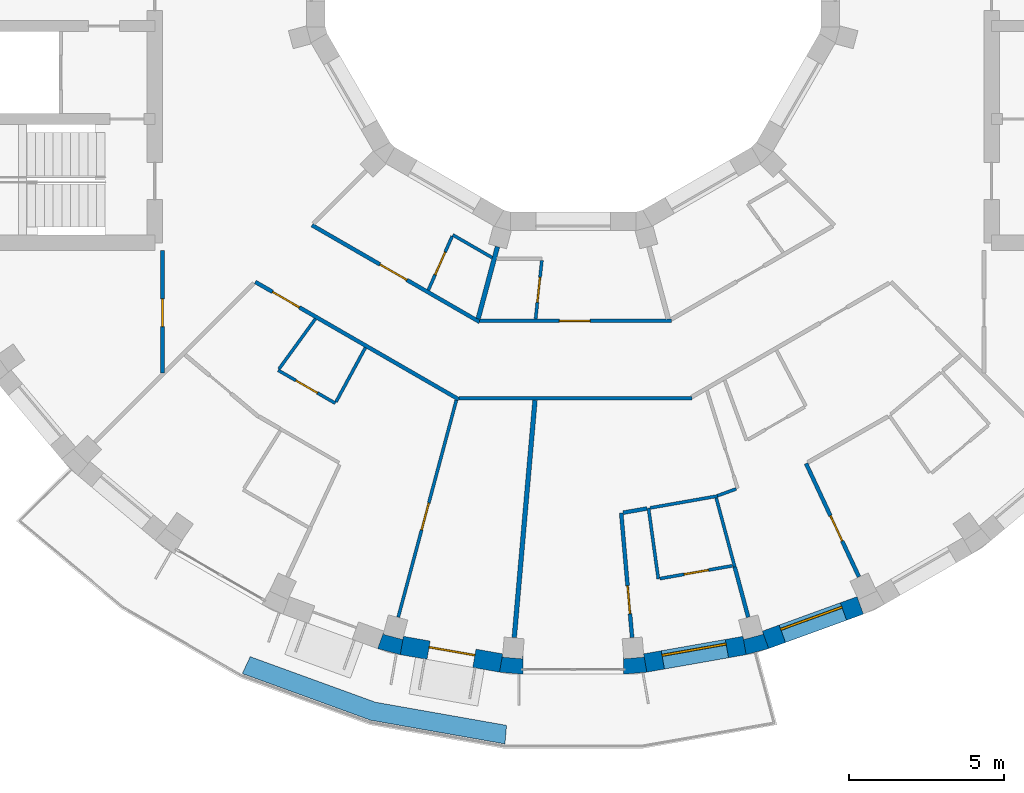
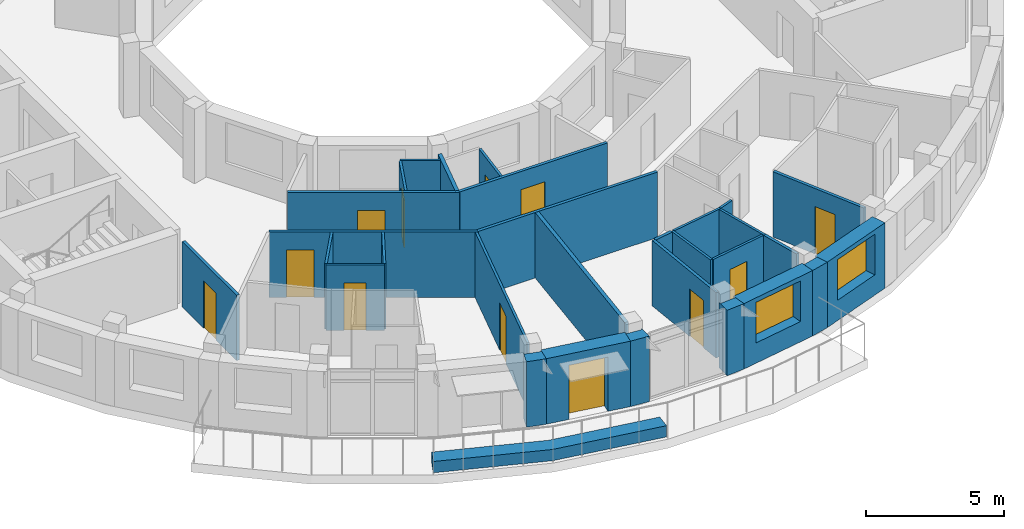
# One storey, part 4 of 12: 31 walls, 12 doors, 2 windows, 14 openings.
"""IFC4 building model written with IfcOpenShell, lengths in metres."""

from ifc_helpers import new_model, si_unit, direction, frame, frame_2d, origin, place, context, subcontext, project, spatial, polyline, rectangle, outline, extrude, material, layer, layer_set, type_object, element, fill, save


model = new_model("IFC4")

# Units and contexts
model_context = context("Model", 3, precision=1e-05, world=origin(), true_north=direction((0.0, 1.0)))
body_context = subcontext(model_context, "Body", "Model", "MODEL_VIEW")
ifc_project = project(units=[si_unit("LENGTHUNIT", "METRE"), si_unit("AREAUNIT", "SQUARE_METRE"), si_unit("VOLUMEUNIT", "CUBIC_METRE"), si_unit("PLANEANGLEUNIT", "RADIAN"), si_unit("MASSUNIT", "GRAM", prefix="KILO")], contexts=[model_context])

# Site, building, storey
site_placement = place(None, origin())
site = spatial("IfcSite", under=ifc_project, at=site_placement, CompositionType="ELEMENT")
building_placement = place(site_placement, origin())
building = spatial("IfcBuilding", under=site, at=building_placement, Name="Saqina Gate Tower", CompositionType="ELEMENT")
storey_placement = place(building_placement, frame((0.0, 0.0, 272.60009765625)))
storey = spatial("IfcBuildingStorey", under=building, at=storey_placement, Name="L78", CompositionType="ELEMENT", Elevation=272.60009765625)

# Walls
ifc_material_1 = material(Name="Brick masonry (buff)", Category="masonry")
wall_type_1 = type_object("IfcWallType", Name="BRICK PIER COPING BUFF", PredefinedType="SOLIDWALL", material=ifc_material_1)
wall_1_placement = place(storey_placement, origin())
element("IfcWall", 1, at=wall_1_placement, inside=storey, type_object=wall_type_1, Name="Pier cap L78 column 26", PredefinedType="SOLIDWALL", context=body_context, shape_type="SweptSolid", body=[
    extrude(outline(polyline([(-5.579833984375, -22.281982421875), (-5.4755859375, -21.691162109375), (-5.5029296875, -21.793212890625), (-6.130859375, -21.625), (-6.103515625, -21.52294921875), (-6.30859375, -22.0869140625), (-5.579833984375, -22.281982421875)])), origin(), (0.0, 0.0, 1.0), 2.89990234375),
])
wall_2_placement = place(storey_placement, origin())
element("IfcWall", 2, at=wall_2_placement, inside=storey, type_object=wall_type_1, Name="Pier cap L78 column 27", PredefinedType="SOLIDWALL", context=body_context, shape_type="SweptSolid", body=[
    extrude(outline(polyline([(-2.377685546875, -22.8466796875), (-1.625732421875, -22.91259765625), (-1.625732421875, -22.3125), (-1.635009765625, -22.417724609375), (-2.28271484375, -22.361083984375), (-2.2734375, -22.255859375), (-2.377685546875, -22.8466796875)])), origin(), (0.0, 0.0, 1.0), 2.89990234375),
])
wall_3_placement = place(storey_placement, origin())
element("IfcWall", 3, at=wall_3_placement, inside=storey, type_object=wall_type_1, Name="Pier cap L78 column 28", PredefinedType="SOLIDWALL", context=body_context, shape_type="SweptSolid", body=[
    extrude(outline(polyline([(1.625732421875, -22.91259765625), (2.377685546875, -22.8466796875), (2.2734375, -22.255859375), (2.28271484375, -22.361083984375), (1.635009765625, -22.417724609375), (1.625732421875, -22.3125), (1.625732421875, -22.91259765625)])), origin(), (0.0, 0.0, 1.0), 2.89990234375),
])
wall_4_placement = place(storey_placement, origin())
element("IfcWall", 4, at=wall_4_placement, inside=storey, type_object=wall_type_1, Name="Pier cap L78 column 29", PredefinedType="SOLIDWALL", context=body_context, shape_type="SweptSolid", body=[
    extrude(outline(polyline([(6.30859375, -22.0869140625), (6.103515625, -21.52294921875), (6.130859375, -21.625), (5.5029296875, -21.793212890625), (5.4755859375, -21.691162109375), (5.579833984375, -22.281982421875), (6.30859375, -22.0869140625)])), origin(), (0.0, 0.0, 1.0), 2.89990234375),
])

# Wall, opening, door
ifc_material_2 = material(Name="Brick masonry (buff)", Category="masonry")
ifc_layer_1 = layer(ifc_material_2, 0.60009765625)
ifc_layer_set_1 = layer_set([ifc_layer_1], Name="FW-BRICK-BUFF")
wall_type_2 = type_object("IfcWallType", Name="FW-BRICK-BUFF", PredefinedType="SOLIDWALL", material=ifc_layer_set_1)
wall_5_placement = place(storey_placement, frame((-5.52783203125, -21.986572265625, 0.0), z_axis=(0.0, 0.0, 1.0), x_axis=(0.984806225186, -0.173656842178, 0.0)))
wall_5 = element("IfcWall", 5, at=wall_5_placement, inside=storey, type_object=wall_type_2, Name="Facade wall L78 facet 26", PredefinedType="SOLIDWALL", context=body_context, shape_type="SweptSolid", body=[
    extrude(rectangle(XDim=3.251708984375, YDim=0.60009765625, at=frame_2d((1.6259765625, 0.0))), origin(), (0.0, 0.0, 1.0), 2.89990234375),
])
opening_1_placement = place(wall_5_placement, frame((0.875732421875, 0.0, 0.0)))
opening_1 = element("IfcOpeningElement", 6, at=opening_1_placement, cuts=wall_5, Name="Opening G23-D81", PredefinedType="OPENING", context=body_context, shape_type="SweptSolid", body=[
    extrude(rectangle(XDim=1.5, YDim=2.39990234375, at=frame_2d((0.75, 1.199951171875))), frame((0.0, 0.31201171875, 0.0), z_axis=(0.0, -1.0, 0.0), x_axis=(1.0, 0.0, 0.0)), (0.0, 0.0, 1.0), 0.6240234375),
])
ifc_material_3 = material(Name="Aluminium glazing", Category="aluminium")
door_type_1 = type_object("IfcDoorType", Name="GD-D", OperationType="DOUBLE_DOOR_SINGLE_SWING", PredefinedType="DOOR", material=ifc_material_3)
door_1_placement = place(opening_1_placement, frame((1.5, 0.0, 0.0), z_axis=(0.0, 0.0, 1.0), x_axis=(-1.0, 0.0, 0.0)))
door_1 = element("IfcDoor", 7, at=door_1_placement, inside=storey, type_object=door_type_1, Name="Terrace door L78 facet 26", OperationType="DOUBLE_DOOR_SINGLE_SWING", OverallHeight=2.39990234375, OverallWidth=1.5, PredefinedType="DOOR", context=body_context, shape_type="SweptSolid", body=[
    extrude(rectangle(XDim=1.5, YDim=2.39990234375, at=frame_2d((0.75, 1.199951171875))), frame((0.0, -0.0751953125, 0.0), z_axis=(0.0, -1.0, 0.0), x_axis=(1.0, 0.0, 0.0)), (0.0, 0.0, 1.0), 0.050048828125),
])
fill(opening_1, door_1)

# Wall, opening, window
wall_6_placement = place(storey_placement, frame((2.325439453125, -22.55126953125, 0.0), z_axis=(0.0, 0.0, 1.0), x_axis=(0.984806225186, 0.173656842178, 0.0)))
wall_6 = element("IfcWall", 8, at=wall_6_placement, inside=storey, type_object=wall_type_2, Name="Facade wall L78 facet 28", PredefinedType="SOLIDWALL", context=body_context, shape_type="SweptSolid", body=[
    extrude(rectangle(XDim=3.251708984375, YDim=0.60009765625, at=frame_2d((1.6259765625, 0.0))), origin(), (0.0, 0.0, 1.0), 2.89990234375),
])
opening_2_placement = place(wall_6_placement, frame((0.57568359375, 0.0, 0.89990234375)))
opening_2 = element("IfcOpeningElement", 9, at=opening_2_placement, cuts=wall_6, Name="Opening G23-W17", PredefinedType="OPENING", context=body_context, shape_type="SweptSolid", body=[
    extrude(rectangle(XDim=2.10009765625, YDim=1.800048828125, at=frame_2d((1.050048828125, 0.89990234375))), frame((0.0, 0.31201171875, 0.0), z_axis=(0.0, -1.0, 0.0), x_axis=(1.0, 0.0, 0.0)), (0.0, 0.0, 1.0), 0.6240234375),
])
ifc_material_4 = material(Name="Aluminium glazing", Category="aluminium")
window_type = type_object("IfcWindowType", Name="WN-D", PartitioningType="SINGLE_PANEL", PredefinedType="WINDOW", material=ifc_material_4)
window_1_placement = place(opening_2_placement, origin())
window_1 = element("IfcWindow", 10, at=window_1_placement, inside=storey, type_object=window_type, Name="Window L78 facet 28", OverallHeight=1.800048828125, OverallWidth=2.10009765625, PartitioningType="SINGLE_PANEL", PredefinedType="WINDOW", context=body_context, shape_type="SweptSolid", body=[
    extrude(rectangle(XDim=2.10009765625, YDim=1.800048828125, at=frame_2d((1.050048828125, 0.89990234375))), frame((0.0, 0.179931640625, 0.0), z_axis=(0.0, -1.0, 0.0), x_axis=(1.0, 0.0, 0.0)), (0.0, 0.0, 1.0), 0.06005859375),
])
fill(opening_2, window_1)

wall_7_placement = place(storey_placement, frame((6.2060546875, -21.804931640625, 0.0), z_axis=(0.0, 0.0, 1.0), x_axis=(0.939679383794, 0.342056509473, 0.0)))
wall_7 = element("IfcWall", 11, at=wall_7_placement, inside=storey, type_object=wall_type_2, Name="Facade wall L78 facet 29", PredefinedType="SOLIDWALL", context=body_context, shape_type="SweptSolid", body=[
    extrude(rectangle(XDim=3.251708984375, YDim=0.60009765625, at=frame_2d((1.6259765625, 0.0))), origin(), (0.0, 0.0, 1.0), 2.89990234375),
])
opening_3_placement = place(wall_7_placement, frame((0.57568359375, 0.0, 0.89990234375)))
opening_3 = element("IfcOpeningElement", 12, at=opening_3_placement, cuts=wall_7, Name="Opening G23-W18", PredefinedType="OPENING", context=body_context, shape_type="SweptSolid", body=[
    extrude(rectangle(XDim=2.10009765625, YDim=1.800048828125, at=frame_2d((1.050048828125, 0.89990234375))), frame((0.0, 0.31201171875, 0.0), z_axis=(0.0, -1.0, 0.0), x_axis=(1.0, 0.0, 0.0)), (0.0, 0.0, 1.0), 0.6240234375),
])
window_2_placement = place(opening_3_placement, origin())
window_2 = element("IfcWindow", 13, at=window_2_placement, inside=storey, type_object=window_type, Name="Window L78 facet 29", OverallHeight=1.800048828125, OverallWidth=2.10009765625, PartitioningType="SINGLE_PANEL", PredefinedType="WINDOW", context=body_context, shape_type="SweptSolid", body=[
    extrude(rectangle(XDim=2.10009765625, YDim=1.800048828125, at=frame_2d((1.050048828125, 0.89990234375))), frame((0.0, 0.179931640625, 0.0), z_axis=(0.0, -1.0, 0.0), x_axis=(1.0, 0.0, 0.0)), (0.0, 0.0, 1.0), 0.06005859375),
])
fill(opening_3, window_2)

# Walls
ifc_material_5 = material(Name="Gypsum board on steel studs, 100 mm", Category="steel")
ifc_layer_2 = layer(ifc_material_5, 0.10009765625)
ifc_layer_set_2 = layer_set([ifc_layer_2], Name="PARTITION 100")
wall_type_3 = type_object("IfcWallType", Name="PARTITION 100", PredefinedType="PARTITIONING", material=ifc_layer_set_2)
wall_8_placement = place(storey_placement, frame((2.430908203125, -17.556884765625, 0.0), z_axis=(0.0, 0.0, 1.0), x_axis=(0.137351585164, -0.990522358179, 0.0)))
element("IfcWall", 14, at=wall_8_placement, inside=storey, type_object=wall_type_3, Name="PARTITION PW3-03", PredefinedType="PARTITIONING", context=body_context, shape_type="SweptSolid", body=[
    extrude(rectangle(XDim=2.3017578125, YDim=0.10009765625, at=frame_2d((1.15087890625, 0.0))), origin(), (0.0, 0.0, 1.0), 2.89990234375),
])
wall_9_placement = place(storey_placement, frame((4.614501953125, -17.222412109375, 0.0), z_axis=(0.0, 0.0, 1.0), x_axis=(0.259222412409, -0.965817654066, 0.0)))
element("IfcWall", 15, at=wall_9_placement, inside=storey, type_object=wall_type_3, Name="PARTITION PW3-06", PredefinedType="PARTITIONING", context=body_context, shape_type="SweptSolid", body=[
    extrude(rectangle(XDim=2.308349609375, YDim=0.10009765625, at=frame_2d((1.154296875, 0.0))), origin(), (0.0, 0.0, 1.0), 2.89990234375),
])

# Wall, opening, door
wall_10_placement = place(storey_placement, frame((-9.52099609375, -13.10498046875, 0.0), z_axis=(0.0, 0.0, 1.0), x_axis=(0.865878308353, -0.500254690257, 0.0)))
wall_10 = element("IfcWall", 16, at=wall_10_placement, inside=storey, type_object=wall_type_3, Name="PARTITION PW3-20", PredefinedType="PARTITIONING", context=body_context, shape_type="SweptSolid", body=[
    extrude(rectangle(XDim=2.130859375, YDim=0.10009765625, at=frame_2d((1.0654296875, 0.0))), origin(), (0.0, 0.0, 1.0), 2.89990234375),
])
opening_4_placement = place(wall_10_placement, frame((0.665283203125, 0.0, 0.0)))
opening_4 = element("IfcOpeningElement", 17, at=opening_4_placement, cuts=wall_10, Name="Opening G23-D24", PredefinedType="OPENING", context=body_context, shape_type="SweptSolid", body=[
    extrude(rectangle(XDim=0.800048828125, YDim=2.10009765625, at=frame_2d((0.39990234375, 1.050048828125))), frame((0.0, 0.06201171875, 0.0), z_axis=(0.0, -1.0, 0.0), x_axis=(1.0, 0.0, 0.0)), (0.0, 0.0, 1.0), 0.1240234375),
])
ifc_material_6 = material(Name="Timber door leaf, 800 mm", Category="wood")
door_type_2 = type_object("IfcDoorType", Name="DOOR 800 TIMBER", OperationType="SINGLE_SWING_LEFT", PredefinedType="DOOR", material=ifc_material_6)
door_2_placement = place(opening_4_placement, frame((0.800048828125, 0.0, 0.0), z_axis=(0.0, 0.0, 1.0), x_axis=(-1.0, 0.0, 0.0)))
door_2 = element("IfcDoor", 18, at=door_2_placement, inside=storey, type_object=door_type_2, Name="DOOR G23-D24", OperationType="SINGLE_SWING_RIGHT", OverallHeight=2.10009765625, OverallWidth=0.800048828125, PredefinedType="DOOR", context=body_context, shape_type="SweptSolid", body=[
    extrude(rectangle(XDim=0.800048828125, YDim=2.10009765625, at=frame_2d((0.39990234375, 1.050048828125))), frame((0.0, 0.02490234375, 0.0), z_axis=(0.0, -1.0, 0.0), x_axis=(1.0, 0.0, 0.0)), (0.0, 0.0, 1.0), 0.050048828125),
])
fill(opening_4, door_2)

# Wall
wall_11_placement = place(storey_placement, frame((-3.884033203125, -8.739013671875, 0.0), z_axis=(0.0, 0.0, 1.0), x_axis=(0.866146805758, -0.499789666634, 0.0)))
element("IfcWall", 19, at=wall_11_placement, inside=storey, type_object=wall_type_3, Name="PARTITION PW3-21", PredefinedType="PARTITIONING", context=body_context, shape_type="SweptSolid", body=[
    extrude(rectangle(XDim=1.467529296875, YDim=0.10009765625, at=frame_2d((0.73388671875, 0.0))), origin(), (0.0, 0.0, 1.0), 2.89990234375),
])

# Wall, opening, door
wall_12_placement = place(storey_placement, frame((2.796142578125, -19.828369140625, 0.0), z_axis=(0.0, 0.0, 1.0), x_axis=(0.984754600233, 0.173949352742, 0.0)))
wall_12 = element("IfcWall", 20, at=wall_12_placement, inside=storey, type_object=wall_type_3, Name="PARTITION PW3-29", PredefinedType="PARTITIONING", context=body_context, shape_type="SweptSolid", body=[
    extrude(rectangle(XDim=2.37744140625, YDim=0.10009765625, at=frame_2d((1.188720703125, 0.0))), origin(), (0.0, 0.0, 1.0), 2.89990234375),
])
opening_5_placement = place(wall_12_placement, frame((0.794921875, 0.0, 0.0)))
opening_5 = element("IfcOpeningElement", 21, at=opening_5_placement, cuts=wall_12, Name="Opening G23-D32", PredefinedType="OPENING", context=body_context, shape_type="SweptSolid", body=[
    extrude(rectangle(XDim=0.800048828125, YDim=2.10009765625, at=frame_2d((0.39990234375, 1.050048828125))), frame((0.0, 0.06201171875, 0.0), z_axis=(0.0, -1.0, 0.0), x_axis=(1.0, 0.0, 0.0)), (0.0, 0.0, 1.0), 0.1240234375),
])
door_3_placement = place(opening_5_placement, frame((0.800048828125, 0.0, 0.0), z_axis=(0.0, 0.0, 1.0), x_axis=(-1.0, 0.0, 0.0)))
door_3 = element("IfcDoor", 22, at=door_3_placement, inside=storey, type_object=door_type_2, Name="DOOR G23-D32", OperationType="SINGLE_SWING_LEFT", OverallHeight=2.10009765625, OverallWidth=0.800048828125, PredefinedType="DOOR", context=body_context, shape_type="SweptSolid", body=[
    extrude(rectangle(XDim=0.800048828125, YDim=2.10009765625, at=frame_2d((0.39990234375, 1.050048828125))), frame((0.0, 0.02490234375, 0.0), z_axis=(0.0, -1.0, 0.0), x_axis=(1.0, 0.0, 0.0)), (0.0, 0.0, 1.0), 0.050048828125),
])
fill(opening_5, door_3)

# Walls
wall_13_placement = place(storey_placement, frame((2.480224609375, -17.54833984375, 0.0), z_axis=(0.0, 0.0, 1.0), x_axis=(0.984791356236, 0.173741142745, 0.0)))
element("IfcWall", 23, at=wall_13_placement, inside=storey, type_object=wall_type_3, Name="PARTITION PW3-30", PredefinedType="PARTITIONING", context=body_context, shape_type="SweptSolid", body=[
    extrude(rectangle(XDim=2.2060546875, YDim=0.10009765625, at=frame_2d((1.10302734375, 0.0))), origin(), (0.0, 0.0, 1.0), 2.89990234375),
])
wall_14_placement = place(storey_placement, frame((4.64990234375, -17.15625, 0.0), z_axis=(0.0, 0.0, 1.0), x_axis=(0.939771391362, 0.341803645353, 0.0)))
element("IfcWall", 24, at=wall_14_placement, inside=storey, type_object=wall_type_3, Name="PARTITION PW3-33", PredefinedType="PARTITIONING", context=body_context, shape_type="SweptSolid", body=[
    extrude(rectangle(XDim=0.647216796875, YDim=0.10009765625, at=frame_2d((0.32373046875, 0.0))), origin(), (0.0, 0.0, 1.0), 2.89990234375),
])
wall_15_placement = place(storey_placement, frame((-9.49169921875, -13.064453125, 0.0), z_axis=(0.0, 0.0, 1.0), x_axis=(0.587873893167, 0.80895258559, 0.0)))
element("IfcWall", 25, at=wall_15_placement, inside=storey, type_object=wall_type_3, Name="PARTITION PW3-42", PredefinedType="PARTITIONING", context=body_context, shape_type="SweptSolid", body=[
    extrude(rectangle(XDim=1.998779296875, YDim=0.10009765625, at=frame_2d((0.99951171875, 0.0))), origin(), (0.0, 0.0, 1.0), 2.89990234375),
])
wall_16_placement = place(storey_placement, frame((-7.652099609375, -14.126953125, 0.0), z_axis=(0.0, 0.0, 1.0), x_axis=(0.476243596433, 0.879313389444, 0.0)))
element("IfcWall", 26, at=wall_16_placement, inside=storey, type_object=wall_type_3, Name="PARTITION PW3-45", PredefinedType="PARTITIONING", context=body_context, shape_type="SweptSolid", body=[
    extrude(rectangle(XDim=1.988525390625, YDim=0.10009765625, at=frame_2d((0.994140625, 0.0))), origin(), (0.0, 0.0, 1.0), 2.89990234375),
])

# Wall, opening, door
wall_17_placement = place(storey_placement, frame((-4.674560546875, -10.519775390625, 0.0), z_axis=(0.0, 0.0, 1.0), x_axis=(0.40574466239, 0.913986470875, 0.0)))
wall_17 = element("IfcWall", 27, at=wall_17_placement, inside=storey, type_object=wall_type_3, Name="PARTITION PW3-47", PredefinedType="PARTITIONING", context=body_context, shape_type="SweptSolid", body=[
    extrude(rectangle(XDim=1.8984375, YDim=0.10009765625, at=frame_2d((0.94921875, 0.0))), origin(), (0.0, 0.0, 1.0), 2.89990234375),
])
opening_6_placement = place(wall_17_placement, frame((0.54296875, 0.0, 0.0)))
opening_6 = element("IfcOpeningElement", 28, at=opening_6_placement, cuts=wall_17, Name="Opening G23-D27", PredefinedType="OPENING", context=body_context, shape_type="SweptSolid", body=[
    extrude(rectangle(XDim=0.800048828125, YDim=2.10009765625, at=frame_2d((0.39990234375, 1.050048828125))), frame((0.0, 0.06201171875, 0.0), z_axis=(0.0, -1.0, 0.0), x_axis=(1.0, 0.0, 0.0)), (0.0, 0.0, 1.0), 0.1240234375),
])
door_4_placement = place(opening_6_placement, origin())
door_4 = element("IfcDoor", 29, at=door_4_placement, inside=storey, type_object=door_type_2, Name="DOOR G23-D27", OperationType="SINGLE_SWING_LEFT", OverallHeight=2.10009765625, OverallWidth=0.800048828125, PredefinedType="DOOR", context=body_context, shape_type="SweptSolid", body=[
    extrude(rectangle(XDim=0.800048828125, YDim=2.10009765625, at=frame_2d((0.39990234375, 1.050048828125))), frame((0.0, 0.02490234375, 0.0), z_axis=(0.0, -1.0, 0.0), x_axis=(1.0, 0.0, 0.0)), (0.0, 0.0, 1.0), 0.050048828125),
])
fill(opening_6, door_4)

wall_18_placement = place(storey_placement, frame((-5.644287109375, -21.072265625, 0.0), z_axis=(0.0, 0.0, 1.0), x_axis=(0.258605886827, 0.96598291667, 0.0)))
wall_18 = element("IfcWall", 30, at=wall_18_placement, inside=storey, type_object=wall_type_3, Name="PARTITION PW3-48", PredefinedType="PARTITIONING", context=body_context, shape_type="SweptSolid", body=[
    extrude(rectangle(XDim=7.24853515625, YDim=0.10009765625, at=frame_2d((3.624267578125, 0.0))), origin(), (0.0, 0.0, 1.0), 2.89990234375),
])
opening_7_placement = place(wall_18_placement, frame((2.913818359375, 0.0, 0.0)))
opening_7 = element("IfcOpeningElement", 31, at=opening_7_placement, cuts=wall_18, Name="Opening G23-D28", PredefinedType="OPENING", context=body_context, shape_type="SweptSolid", body=[
    extrude(rectangle(XDim=0.89990234375, YDim=2.10009765625, at=frame_2d((0.449951171875, 1.050048828125))), frame((0.0, 0.06201171875, 0.0), z_axis=(0.0, -1.0, 0.0), x_axis=(1.0, 0.0, 0.0)), (0.0, 0.0, 1.0), 0.1240234375),
])
ifc_material_7 = material(Name="Timber door leaf, 900 mm", Category="wood")
door_type_3 = type_object("IfcDoorType", Name="DOOR 900 TIMBER", OperationType="SINGLE_SWING_LEFT", PredefinedType="DOOR", material=ifc_material_7)
door_5_placement = place(opening_7_placement, origin())
door_5 = element("IfcDoor", 32, at=door_5_placement, inside=storey, type_object=door_type_3, Name="DOOR G23-D28", OperationType="SINGLE_SWING_LEFT", OverallHeight=2.10009765625, OverallWidth=0.89990234375, PredefinedType="DOOR", context=body_context, shape_type="SweptSolid", body=[
    extrude(rectangle(XDim=0.89990234375, YDim=2.10009765625, at=frame_2d((0.449951171875, 1.050048828125))), frame((0.0, 0.02490234375, 0.0), z_axis=(0.0, -1.0, 0.0), x_axis=(1.0, 0.0, 0.0)), (0.0, 0.0, 1.0), 0.050048828125),
])
fill(opening_7, door_5)

wall_19_placement = place(storey_placement, frame((-1.21142578125, -11.44775390625, 0.0), z_axis=(0.0, 0.0, 1.0), x_axis=(0.105447867905, 0.99442483233, 0.0)))
wall_19 = element("IfcWall", 33, at=wall_19_placement, inside=storey, type_object=wall_type_3, Name="PARTITION PW3-51", PredefinedType="PARTITIONING", context=body_context, shape_type="SweptSolid", body=[
    extrude(rectangle(XDim=1.8984375, YDim=0.10009765625, at=frame_2d((0.94921875, 0.0))), origin(), (0.0, 0.0, 1.0), 2.89990234375),
])
opening_8_placement = place(wall_19_placement, frame((0.543212890625, 0.0, 0.0)))
opening_8 = element("IfcOpeningElement", 34, at=opening_8_placement, cuts=wall_19, Name="Opening G23-D29", PredefinedType="OPENING", context=body_context, shape_type="SweptSolid", body=[
    extrude(rectangle(XDim=0.800048828125, YDim=2.10009765625, at=frame_2d((0.39990234375, 1.050048828125))), frame((0.0, 0.06201171875, 0.0), z_axis=(0.0, -1.0, 0.0), x_axis=(1.0, 0.0, 0.0)), (0.0, 0.0, 1.0), 0.1240234375),
])
door_6_placement = place(opening_8_placement, frame((0.800048828125, 0.0, 0.0), z_axis=(0.0, 0.0, 1.0), x_axis=(-1.0, 0.0, 0.0)))
door_6 = element("IfcDoor", 35, at=door_6_placement, inside=storey, type_object=door_type_2, Name="DOOR G23-D29", OperationType="SINGLE_SWING_RIGHT", OverallHeight=2.10009765625, OverallWidth=0.800048828125, PredefinedType="DOOR", context=body_context, shape_type="SweptSolid", body=[
    extrude(rectangle(XDim=0.800048828125, YDim=2.10009765625, at=frame_2d((0.39990234375, 1.050048828125))), frame((0.0, 0.02490234375, 0.0), z_axis=(0.0, -1.0, 0.0), x_axis=(1.0, 0.0, 0.0)), (0.0, 0.0, 1.0), 0.050048828125),
])
fill(opening_8, door_6)

ifc_material_8 = material(Name="Gypsum board on steel studs, 125 mm, fire rated", Category="steel")
ifc_layer_3 = layer(ifc_material_8, 0.125)
ifc_layer_set_3 = layer_set([ifc_layer_3], Name="PARTITION EI 30 125")
wall_type_4 = type_object("IfcWallType", Name="PARTITION EI 30 125", PredefinedType="PARTITIONING", material=ifc_layer_set_3)
wall_20_placement = place(storey_placement, frame((1.5498046875, -17.713134765625, 0.0), z_axis=(0.0, 0.0, 1.0), x_axis=(0.087206738893, -0.996190235192, 0.0)))
wall_20 = element("IfcWall", 36, at=wall_20_placement, inside=storey, type_object=wall_type_4, Name="PARTITION PW1-02", PredefinedType="PARTITIONING", context=body_context, shape_type="SweptSolid", body=[
    extrude(rectangle(XDim=4.0341796875, YDim=0.125, at=frame_2d((2.01708984375, 0.0))), origin(), (0.0, 0.0, 1.0), 2.89990234375),
])
opening_9_placement = place(wall_20_placement, frame((2.35888671875, 0.0, 0.0)))
opening_9 = element("IfcOpeningElement", 37, at=opening_9_placement, cuts=wall_20, Name="Opening G23-D31", PredefinedType="OPENING", context=body_context, shape_type="SweptSolid", body=[
    extrude(rectangle(XDim=0.89990234375, YDim=2.10009765625, at=frame_2d((0.449951171875, 1.050048828125))), frame((0.0, 0.074462890625, 0.0), z_axis=(0.0, -1.0, 0.0), x_axis=(1.0, 0.0, 0.0)), (0.0, 0.0, 1.0), 0.14892578125),
])
ifc_material_9 = material(Name="Fire door leaf EI 30, 900 mm")
door_type_4 = type_object("IfcDoorType", Name="DOOR 900 EI 30", OperationType="SINGLE_SWING_LEFT", PredefinedType="DOOR", material=ifc_material_9)
door_7_placement = place(opening_9_placement, frame((0.89990234375, 0.0, 0.0), z_axis=(0.0, 0.0, 1.0), x_axis=(-1.0, 0.0, 0.0)))
door_7 = element("IfcDoor", 38, at=door_7_placement, inside=storey, type_object=door_type_4, Name="DOOR G23-D31", OperationType="SINGLE_SWING_LEFT", OverallHeight=2.10009765625, OverallWidth=0.89990234375, PredefinedType="DOOR", context=body_context, shape_type="SweptSolid", body=[
    extrude(rectangle(XDim=0.89990234375, YDim=2.10009765625, at=frame_2d((0.449951171875, 1.050048828125))), frame((0.0, 0.02490234375, 0.0), z_axis=(0.0, -1.0, 0.0), x_axis=(1.0, 0.0, 0.0)), (0.0, 0.0, 1.0), 0.050048828125),
])
fill(opening_9, door_7)

# Wall
wall_21_placement = place(storey_placement, frame((5.2119140625, -19.452392578125, 0.0), z_axis=(0.0, 0.0, 1.0), x_axis=(0.259221341364, -0.96581794153, 0.0)))
element("IfcWall", 39, at=wall_21_placement, inside=storey, type_object=wall_type_4, Name="PARTITION PW1-03", PredefinedType="PARTITIONING", context=body_context, shape_type="SweptSolid", body=[
    extrude(rectangle(XDim=1.676513671875, YDim=0.125, at=frame_2d((0.83837890625, 0.0))), origin(), (0.0, 0.0, 1.0), 2.89990234375),
])

# Wall, opening, door
wall_22_placement = place(storey_placement, frame((7.513916015625, -16.115966796875, 0.0), z_axis=(0.0, 0.0, 1.0), x_axis=(0.422961674659, -0.90614757174, 0.0)))
wall_22 = element("IfcWall", 40, at=wall_22_placement, inside=storey, type_object=wall_type_4, Name="PARTITION PW1-05", PredefinedType="PARTITIONING", context=body_context, shape_type="SweptSolid", body=[
    extrude(rectangle(XDim=4.03369140625, YDim=0.125, at=frame_2d((2.016845703125, 0.0))), origin(), (0.0, 0.0, 1.0), 2.89990234375),
])
opening_10_placement = place(wall_22_placement, frame((1.857177734375, 0.0, 0.0)))
opening_10 = element("IfcOpeningElement", 41, at=opening_10_placement, cuts=wall_22, Name="Opening G23-D35", PredefinedType="OPENING", context=body_context, shape_type="SweptSolid", body=[
    extrude(rectangle(XDim=0.89990234375, YDim=2.10009765625, at=frame_2d((0.449951171875, 1.050048828125))), frame((0.0, 0.074462890625, 0.0), z_axis=(0.0, -1.0, 0.0), x_axis=(1.0, 0.0, 0.0)), (0.0, 0.0, 1.0), 0.14892578125),
])
door_8_placement = place(opening_10_placement, frame((0.89990234375, 0.0, 0.0), z_axis=(0.0, 0.0, 1.0), x_axis=(-1.0, 0.0, 0.0)))
door_8 = element("IfcDoor", 42, at=door_8_placement, inside=storey, type_object=door_type_4, Name="DOOR G23-D35", OperationType="SINGLE_SWING_LEFT", OverallHeight=2.10009765625, OverallWidth=0.89990234375, PredefinedType="DOOR", context=body_context, shape_type="SweptSolid", body=[
    extrude(rectangle(XDim=0.89990234375, YDim=2.10009765625, at=frame_2d((0.449951171875, 1.050048828125))), frame((0.0, 0.02490234375, 0.0), z_axis=(0.0, -1.0, 0.0), x_axis=(1.0, 0.0, 0.0)), (0.0, 0.0, 1.0), 0.050048828125),
])
fill(opening_10, door_8)

wall_23_placement = place(storey_placement, frame((-10.256103515625, -10.256103515625, 0.0), z_axis=(0.0, 0.0, 1.0), x_axis=(0.866032740159, -0.499987292811, 0.0)))
wall_23 = element("IfcWall", 43, at=wall_23_placement, inside=storey, type_object=wall_type_4, Name="PARTITION PW1-13", PredefinedType="PARTITIONING", context=body_context, shape_type="SweptSolid", body=[
    extrude(rectangle(XDim=7.580810546875, YDim=0.125, at=frame_2d((3.79052734375, 0.0))), origin(), (0.0, 0.0, 1.0), 2.89990234375),
])
opening_11_placement = place(wall_23_placement, frame((0.640869140625, 0.0, 0.0)))
opening_11 = element("IfcOpeningElement", 44, at=opening_11_placement, cuts=wall_23, Name="Opening G23-D22", PredefinedType="OPENING", context=body_context, shape_type="SweptSolid", body=[
    extrude(rectangle(XDim=1.0, YDim=2.10009765625, at=frame_2d((0.5, 1.050048828125))), frame((0.0, 0.074462890625, 0.0), z_axis=(0.0, -1.0, 0.0), x_axis=(1.0, 0.0, 0.0)), (0.0, 0.0, 1.0), 0.14892578125),
])
ifc_material_10 = material(Name="Fire door leaf EI 30, 1000 mm")
door_type_5 = type_object("IfcDoorType", Name="DOOR 1000 EI 30", OperationType="SINGLE_SWING_LEFT", PredefinedType="DOOR", material=ifc_material_10)
door_9_placement = place(opening_11_placement, frame((1.0, 0.0, 0.0), z_axis=(0.0, 0.0, 1.0), x_axis=(-1.0, 0.0, 0.0)))
door_9 = element("IfcDoor", 45, at=door_9_placement, inside=storey, type_object=door_type_5, Name="DOOR G23-D22", OperationType="SINGLE_SWING_LEFT", OverallHeight=2.10009765625, OverallWidth=1.0, PredefinedType="DOOR", context=body_context, shape_type="SweptSolid", body=[
    extrude(rectangle(XDim=1.0, YDim=2.10009765625, at=frame_2d((0.5, 1.050048828125))), frame((0.0, 0.02490234375, 0.0), z_axis=(0.0, -1.0, 0.0), x_axis=(1.0, 0.0, 0.0)), (0.0, 0.0, 1.0), 0.050048828125),
])
fill(opening_11, door_9)

wall_24_placement = place(storey_placement, frame((-8.426025390625, -8.426025390625, 0.0), z_axis=(0.0, 0.0, 1.0), x_axis=(0.866039004929, -0.499976441387, 0.0)))
wall_24 = element("IfcWall", 46, at=wall_24_placement, inside=storey, type_object=wall_type_4, Name="PARTITION PW1-14", PredefinedType="PARTITIONING", context=body_context, shape_type="SweptSolid", body=[
    extrude(rectangle(XDim=6.240478515625, YDim=0.125, at=frame_2d((3.1201171875, 0.0))), origin(), (0.0, 0.0, 1.0), 2.89990234375),
])
opening_12_placement = place(wall_24_placement, frame((2.53369140625, 0.0, 0.0)))
opening_12 = element("IfcOpeningElement", 47, at=opening_12_placement, cuts=wall_24, Name="Opening G23-D25", PredefinedType="OPENING", context=body_context, shape_type="SweptSolid", body=[
    extrude(rectangle(XDim=1.0, YDim=2.10009765625, at=frame_2d((0.5, 1.050048828125))), frame((0.0, 0.074462890625, 0.0), z_axis=(0.0, -1.0, 0.0), x_axis=(1.0, 0.0, 0.0)), (0.0, 0.0, 1.0), 0.14892578125),
])
door_10_placement = place(opening_12_placement, origin())
door_10 = element("IfcDoor", 48, at=door_10_placement, inside=storey, type_object=door_type_5, Name="DOOR G23-D25", OperationType="SINGLE_SWING_LEFT", OverallHeight=2.10009765625, OverallWidth=1.0, PredefinedType="DOOR", context=body_context, shape_type="SweptSolid", body=[
    extrude(rectangle(XDim=1.0, YDim=2.10009765625, at=frame_2d((0.5, 1.050048828125))), frame((0.0, 0.02490234375, 0.0), z_axis=(0.0, -1.0, 0.0), x_axis=(1.0, 0.0, 0.0)), (0.0, 0.0, 1.0), 0.050048828125),
])
fill(opening_12, door_10)

# Wall
wall_25_placement = place(storey_placement, frame((-3.69091796875, -14.010009765625, 0.0), z_axis=(0.0, 0.0, 1.0), x_axis=(1.0, 0.0, 0.0)))
element("IfcWall", 49, at=wall_25_placement, inside=storey, type_object=wall_type_4, Name="PARTITION PW1-18", PredefinedType="PARTITIONING", context=body_context, shape_type="SweptSolid", body=[
    extrude(rectangle(XDim=7.51708984375, YDim=0.125, at=frame_2d((3.758544921875, 0.0))), origin(), (0.0, 0.0, 1.0), 2.89990234375),
])

# Wall, opening, door
wall_26_placement = place(storey_placement, frame((-3.021484375, -11.510009765625, 0.0), z_axis=(0.0, 0.0, 1.0), x_axis=(1.0, 0.0, 0.0)))
wall_26 = element("IfcWall", 50, at=wall_26_placement, inside=storey, type_object=wall_type_4, Name="PARTITION PW1-19", PredefinedType="PARTITIONING", context=body_context, shape_type="SweptSolid", body=[
    extrude(rectangle(XDim=6.192138671875, YDim=0.125, at=frame_2d((3.09619140625, 0.0))), origin(), (0.0, 0.0, 1.0), 2.89990234375),
])
opening_13_placement = place(wall_26_placement, frame((2.572021484375, 0.0, 0.0)))
opening_13 = element("IfcOpeningElement", 51, at=opening_13_placement, cuts=wall_26, Name="Opening G23-D30", PredefinedType="OPENING", context=body_context, shape_type="SweptSolid", body=[
    extrude(rectangle(XDim=1.0, YDim=2.10009765625, at=frame_2d((0.5, 1.050048828125))), frame((0.0, 0.074462890625, 0.0), z_axis=(0.0, -1.0, 0.0), x_axis=(1.0, 0.0, 0.0)), (0.0, 0.0, 1.0), 0.14892578125),
])
door_11_placement = place(opening_13_placement, origin())
door_11 = element("IfcDoor", 52, at=door_11_placement, inside=storey, type_object=door_type_5, Name="DOOR G23-D30", OperationType="SINGLE_SWING_LEFT", OverallHeight=2.10009765625, OverallWidth=1.0, PredefinedType="DOOR", context=body_context, shape_type="SweptSolid", body=[
    extrude(rectangle(XDim=1.0, YDim=2.10009765625, at=frame_2d((0.5, 1.050048828125))), frame((0.0, 0.02490234375, 0.0), z_axis=(0.0, -1.0, 0.0), x_axis=(1.0, 0.0, 0.0)), (0.0, 0.0, 1.0), 0.050048828125),
])
fill(opening_13, door_11)

# Wall
wall_27_placement = place(storey_placement, frame((1.611572265625, -17.701171875, 0.0), z_axis=(0.0, 0.0, 1.0), x_axis=(0.984877691651, 0.173251067786, 0.0)))
element("IfcWall", 53, at=wall_27_placement, inside=storey, type_object=wall_type_4, Name="PARTITION PW1-22", PredefinedType="PARTITIONING", context=body_context, shape_type="SweptSolid", body=[
    extrude(rectangle(XDim=0.781982421875, YDim=0.125, at=frame_2d((0.39111328125, 0.0))), origin(), (0.0, 0.0, 1.0), 2.89990234375),
])

# Wall, opening, door
wall_28_placement = place(storey_placement, frame((-13.25, -13.1875, 0.0), z_axis=(0.0, 0.0, 1.0), x_axis=(0.0, 1.0, 0.0)))
wall_28 = element("IfcWall", 54, at=wall_28_placement, inside=storey, type_object=wall_type_4, Name="PARTITION PW1-41", PredefinedType="PARTITIONING", context=body_context, shape_type="SweptSolid", body=[
    extrude(rectangle(XDim=3.9375, YDim=0.125, at=frame_2d((1.96875, 0.0))), origin(), (0.0, 0.0, 1.0), 2.89990234375),
])
opening_14_placement = place(wall_28_placement, frame((1.487548828125, 0.0, 0.0)))
opening_14 = element("IfcOpeningElement", 55, at=opening_14_placement, cuts=wall_28, Name="Opening G23-D21", PredefinedType="OPENING", context=body_context, shape_type="SweptSolid", body=[
    extrude(rectangle(XDim=0.89990234375, YDim=2.10009765625, at=frame_2d((0.449951171875, 1.050048828125))), frame((0.0, 0.074462890625, 0.0), z_axis=(0.0, -1.0, 0.0), x_axis=(1.0, 0.0, 0.0)), (0.0, 0.0, 1.0), 0.14892578125),
])
door_12_placement = place(opening_14_placement, origin())
door_12 = element("IfcDoor", 56, at=door_12_placement, inside=storey, type_object=door_type_4, Name="DOOR G23-D21", OperationType="SINGLE_SWING_LEFT", OverallHeight=2.10009765625, OverallWidth=0.89990234375, PredefinedType="DOOR", context=body_context, shape_type="SweptSolid", body=[
    extrude(rectangle(XDim=0.89990234375, YDim=2.10009765625, at=frame_2d((0.449951171875, 1.050048828125))), frame((0.0, 0.02490234375, 0.0), z_axis=(0.0, -1.0, 0.0), x_axis=(1.0, 0.0, 0.0)), (0.0, 0.0, 1.0), 0.050048828125),
])
fill(opening_14, door_12)

# Walls
ifc_material_11 = material(Name="Gypsum board on steel studs, 150 mm, fire rated", Category="steel")
ifc_layer_4 = layer(ifc_material_11, 0.14990234375)
ifc_layer_set_4 = layer_set([ifc_layer_4], Name="PARTITION EI 60 150")
wall_type_5 = type_object("IfcWallType", Name="PARTITION EI 60 150", PredefinedType="PARTITIONING", material=ifc_layer_set_4)
wall_29_placement = place(storey_placement, frame((-3.067626953125, -11.44970703125, 0.0), z_axis=(0.0, 0.0, 1.0), x_axis=(0.258796817064, 0.965931782, 0.0)))
element("IfcWall", 57, at=wall_29_placement, inside=storey, type_object=wall_type_5, Name="PARTITION PW2-05", PredefinedType="PARTITIONING", context=body_context, shape_type="SweptSolid", body=[
    extrude(rectangle(XDim=2.4111328125, YDim=0.14990234375, at=frame_2d((1.20556640625, 0.0))), origin(), (0.0, 0.0, 1.0), 2.89990234375),
])
wall_30_placement = place(storey_placement, frame((-1.9013671875, -21.73193359375, 0.0), z_axis=(0.0, 0.0, 1.0), x_axis=(0.087062572149, 0.996202845073, 0.0)))
element("IfcWall", 58, at=wall_30_placement, inside=storey, type_object=wall_type_5, Name="PARTITION PW2-06", PredefinedType="PARTITIONING", context=body_context, shape_type="SweptSolid", body=[
    extrude(rectangle(XDim=7.689208984375, YDim=0.14990234375, at=frame_2d((3.8447265625, 0.0))), origin(), (0.0, 0.0, 1.0), 2.89990234375),
])
ifc_material_12 = material(Name="Brick masonry (red)", Category="masonry")
ifc_layer_5 = layer(ifc_material_12, 0.60009765625)
ifc_layer_set_5 = layer_set([ifc_layer_5], Name="PL-PLANTER")
wall_type_6 = type_object("IfcWallType", Name="PL-PLANTER", PredefinedType="PARAPET", material=ifc_layer_set_5)
wall_31_placement = place(storey_placement, origin())
element("IfcWall", 59, at=wall_31_placement, inside=storey, type_object=wall_type_6, Name="Planter L78", PredefinedType="PARAPET", context=body_context, shape_type="SweptSolid", body=[
    extrude(outline(polyline([(-10.6748046875, -22.89208984375), (-6.537353515625, -24.39794921875), (-2.201416015625, -25.16259765625), (-2.14892578125, -24.5625), (-6.381591796875, -23.816162109375), (-10.420166015625, -22.34619140625), (-10.6748046875, -22.89208984375)])), origin(), (0.0, 0.0, 1.0), 0.5),
])

save(model, "model.ifc")
